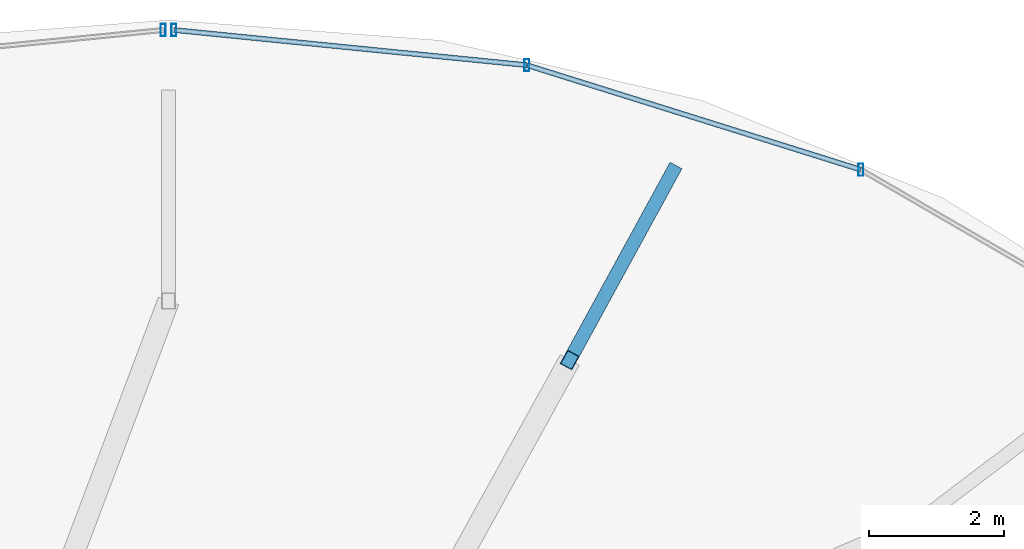
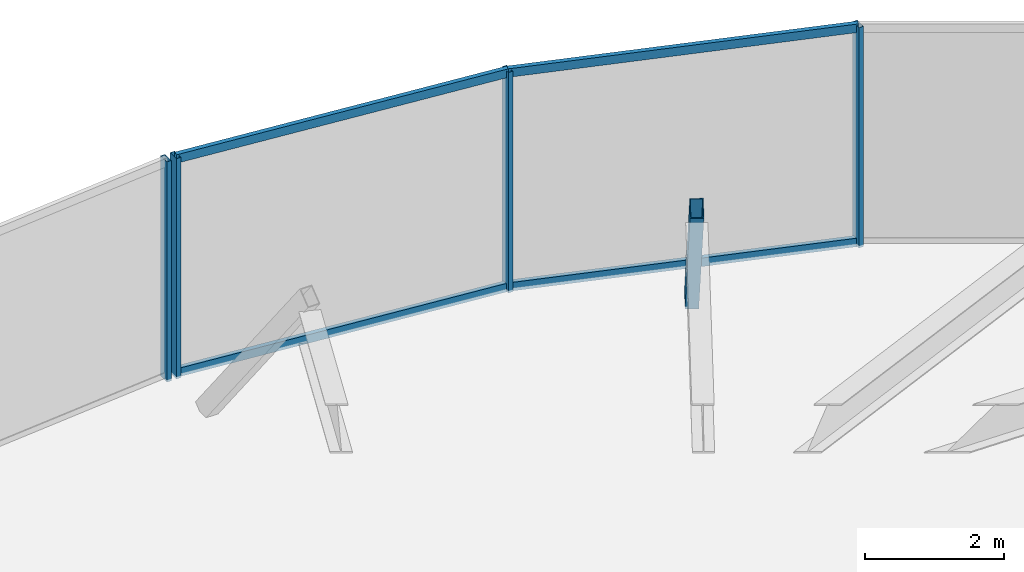
# One storey, part 11 of 14: 9 members, 2 elements without a shape of their own.
"""IFC4 building model written with IfcOpenShell, lengths in metres."""

from ifc_helpers import new_model, si_unit, direction, frame, origin, origin_2d, place, context, subcontext, project, spatial, hollow_rectangle, extrude, material, material_profile, profile_set, type_object, element, aggregate, save


model = new_model("IFC4")

# Units and contexts
model_context = context("Model", 3, precision=1e-05, world=origin(), true_north=direction((0.0, 1.0)))
body_context = subcontext(model_context, "Body", "Model", "MODEL_VIEW")
ifc_project = project(units=[si_unit("LENGTHUNIT", "METRE"), si_unit("AREAUNIT", "SQUARE_METRE"), si_unit("VOLUMEUNIT", "CUBIC_METRE"), si_unit("PLANEANGLEUNIT", "RADIAN"), si_unit("MASSUNIT", "GRAM", prefix="KILO")], contexts=[model_context])

# Site, building, storey
site_placement = place(None, origin())
site = spatial("IfcSite", under=ifc_project, at=site_placement, CompositionType="ELEMENT")
building_placement = place(site_placement, origin())
building = spatial("IfcBuilding", under=site, at=building_placement, Name="Vorneva Point Tower", CompositionType="ELEMENT")
storey_placement = place(building_placement, frame((0.0, 0.0, 299.199951171875)))
storey = spatial("IfcBuildingStorey", under=building, at=storey_placement, Name="C02", CompositionType="ELEMENT", Elevation=299.199951171875)

# Curtain wall, members
ifc_material_1 = material(Name="Pale anodised aluminium", Category="aluminium")
curtain_wall_type = type_object("IfcCurtainWallType", Name="CW-CRN-SYS", PredefinedType="NOTDEFINED", material=ifc_material_1)
curtain_wall_1_placement = place(storey_placement, origin())
curtain_wall_1 = element("IfcCurtainWall", 1, at=curtain_wall_1_placement, inside=storey, type_object=curtain_wall_type, Name="C02 Unitised Curtain Wall CW-C02-Q1", PredefinedType="NOTDEFINED")
ifc_material_profile_1 = material_profile(ifc_material_1, hollow_rectangle(XDim=0.074951171875, YDim=0.179931640625, WallThickness=0.00390625, at=origin_2d()), Name="AL-MUL 180x75x4")
ifc_profile_set_1 = profile_set([ifc_material_profile_1], Name="Pale anodised aluminium")
member_type_1 = type_object("IfcMemberType", Name="CW-MUL-180", PredefinedType="MULLION", material=ifc_profile_set_1)
member_1_placement = place(storey_placement, frame((48.22607421875, 39.388916015625, -0.0400390625), z_axis=(0.0, 0.0, 1.0), x_axis=(1.0, 0.0, 0.0)))
member_1 = element("IfcMember", 2, at=member_1_placement, type_object=member_type_1, Name="CW-C02-Q1 Mullion 05", PredefinedType="MULLION", context=body_context, shape_type="SweptSolid", body=[
    extrude(hollow_rectangle(XDim=0.074951171875, YDim=0.179931640625, WallThickness=0.00390625, at=origin_2d()), origin(), (0.0, 0.0, 1.0), 3.8701171875),
])
member_2_placement = place(storey_placement, frame((43.29345703125, 40.93310546875, -0.0400390625), z_axis=(0.0, 0.0, 1.0), x_axis=(1.0, 0.0, 0.0)))
member_2 = element("IfcMember", 3, at=member_2_placement, type_object=member_type_1, Name="CW-C02-Q1 Mullion 06", PredefinedType="MULLION", context=body_context, shape_type="SweptSolid", body=[
    extrude(hollow_rectangle(XDim=0.074951171875, YDim=0.179931640625, WallThickness=0.00390625, at=origin_2d()), origin(), (0.0, 0.0, 1.0), 3.8701171875),
])
member_3_placement = place(storey_placement, frame((38.07958984375, 41.4521484375, -0.0400390625), z_axis=(0.0, 0.0, 1.0), x_axis=(1.0, 0.0, 0.0)))
member_3 = element("IfcMember", 4, at=member_3_placement, type_object=member_type_1, Name="CW-C02-Q1 Mullion 07", PredefinedType="MULLION", context=body_context, shape_type="SweptSolid", body=[
    extrude(hollow_rectangle(XDim=0.074951171875, YDim=0.179931640625, WallThickness=0.00390625, at=origin_2d()), origin(), (0.0, 0.0, 1.0), 3.8701171875),
])

# Curtain wall, member
curtain_wall_2_placement = place(storey_placement, origin())
curtain_wall_2 = element("IfcCurtainWall", 5, at=curtain_wall_2_placement, inside=storey, type_object=curtain_wall_type, Name="C02 Unitised Curtain Wall CW-C02-Q2", PredefinedType="NOTDEFINED")
member_4_placement = place(storey_placement, frame((37.92041015625, 41.4521484375, -0.0400390625), z_axis=(0.0, 0.0, 1.0), x_axis=(1.0, 0.0, 0.0)))
member_4 = element("IfcMember", 6, at=member_4_placement, type_object=member_type_1, Name="CW-C02-Q2 Mullion 01", PredefinedType="MULLION", context=body_context, shape_type="SweptSolid", body=[
    extrude(hollow_rectangle(XDim=0.074951171875, YDim=0.179931640625, WallThickness=0.00390625, at=origin_2d()), origin(), (0.0, 0.0, 1.0), 3.8701171875),
])
aggregate(curtain_wall_2, [member_4])

# Member
ifc_material_profile_2 = material_profile(ifc_material_1, hollow_rectangle(XDim=0.074951171875, YDim=0.14990234375, WallThickness=0.00390625, at=origin_2d()), Name="AL-TRN 150x75x4")
ifc_profile_set_2 = profile_set([ifc_material_profile_2], Name="Pale anodised aluminium")
member_type_2 = type_object("IfcMemberType", Name="CW-TRN-150", PredefinedType="USERDEFINED", material=ifc_profile_set_2)
member_5_placement = place(storey_placement, frame((48.22607421875, 39.388916015625, 0.02001953125), z_axis=(-0.954328569955, 0.298759067757, 0.0), x_axis=(-0.298759067757, -0.954328569955, 0.0)))
member_5 = element("IfcMember", 7, at=member_5_placement, type_object=member_type_2, Name="CW-C02-Q1 Transom 05.1", ObjectType="TRANSOM", PredefinedType="USERDEFINED", context=body_context, shape_type="SweptSolid", body=[
    extrude(hollow_rectangle(XDim=0.074951171875, YDim=0.14990234375, WallThickness=0.00390625, at=origin_2d()), origin(), (0.0, 0.0, 1.0), 5.168701171875),
])

member_6_placement = place(storey_placement, frame((48.22607421875, 39.388916015625, 3.780029296875), z_axis=(-0.954328569955, 0.298759067757, 0.0), x_axis=(-0.298759067757, -0.954328569955, 0.0)))
member_6 = element("IfcMember", 8, at=member_6_placement, type_object=member_type_2, Name="CW-C02-Q1 Transom 05.2", ObjectType="TRANSOM", PredefinedType="USERDEFINED", context=body_context, shape_type="SweptSolid", body=[
    extrude(hollow_rectangle(XDim=0.074951171875, YDim=0.14990234375, WallThickness=0.00390625, at=origin_2d()), origin(), (0.0, 0.0, 1.0), 5.168701171875),
])

member_7_placement = place(storey_placement, frame((43.29345703125, 40.93310546875, 0.02001953125), z_axis=(-0.995081379901, 0.099060826637, 0.0), x_axis=(-0.099060826637, -0.995081379901, 0.0)))
member_7 = element("IfcMember", 9, at=member_7_placement, type_object=member_type_2, Name="CW-C02-Q1 Transom 06.1", ObjectType="TRANSOM", PredefinedType="USERDEFINED", context=body_context, shape_type="SweptSolid", body=[
    extrude(hollow_rectangle(XDim=0.074951171875, YDim=0.14990234375, WallThickness=0.00390625, at=origin_2d()), origin(), (0.0, 0.0, 1.0), 5.23974609375),
])

member_8_placement = place(storey_placement, frame((43.29345703125, 40.93310546875, 3.780029296875), z_axis=(-0.995081379901, 0.099060826637, 0.0), x_axis=(-0.099060826637, -0.995081379901, 0.0)))
member_8 = element("IfcMember", 10, at=member_8_placement, type_object=member_type_2, Name="CW-C02-Q1 Transom 06.2", ObjectType="TRANSOM", PredefinedType="USERDEFINED", context=body_context, shape_type="SweptSolid", body=[
    extrude(hollow_rectangle(XDim=0.074951171875, YDim=0.14990234375, WallThickness=0.00390625, at=origin_2d()), origin(), (0.0, 0.0, 1.0), 5.23974609375),
])

aggregate(curtain_wall_1, [member_1, member_2, member_3, member_5, member_6, member_7, member_8])

ifc_material_2 = material(Name="Steel S355", Category="steel")
ifc_material_profile_3 = material_profile(ifc_material_2, hollow_rectangle(XDim=0.199951171875, YDim=0.300048828125, WallThickness=0.011962890625, at=origin_2d()), Name="PP 300x200x12")
ifc_profile_set_3 = profile_set([ifc_material_profile_3], Name="Steel S355")
member_type_3 = type_object("IfcMemberType", Name="MBR-CRN-PP300", PredefinedType="CHORD", material=ifc_profile_set_3)
member_9_placement = place(storey_placement, frame((45.440185546875, 39.35009765625, 0.0), z_axis=(-0.306659075277, -0.56089906261, 0.768994442837), x_axis=(0.877425528815, -0.479712873897, 0.0)))
element("IfcMember", 11, at=member_9_placement, inside=storey, type_object=member_type_3, Name="Crown Tapered Frame Rib C02-04", PredefinedType="CHORD", context=body_context, shape_type="SweptSolid", body=[
    extrude(hollow_rectangle(XDim=0.199951171875, YDim=0.300048828125, WallThickness=0.011962890625, at=origin_2d()), origin(), (0.0, 0.0, 1.0), 4.941650390625),
])

save(model, "model.ifc")
